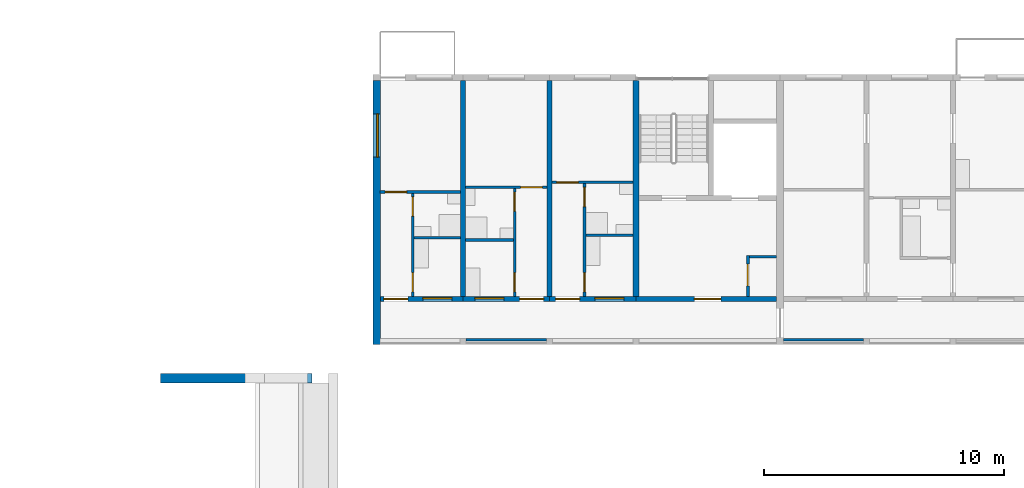
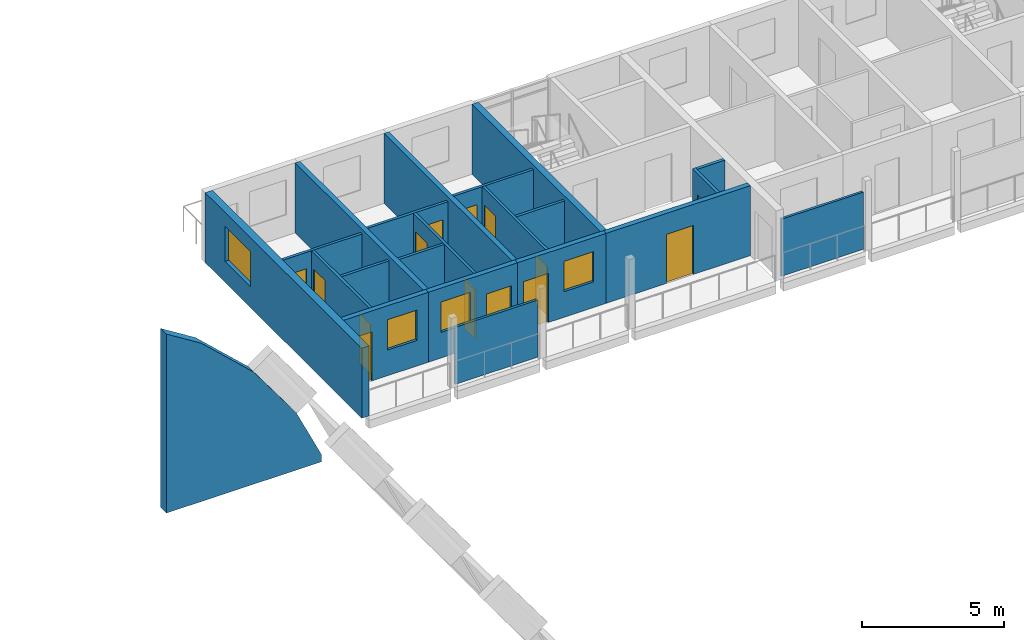
# One storey, part 51 of 100: 22 walls, 14 doors, 4 windows, 18 openings.
"""IFC4 building model written with IfcOpenShell, lengths in metres."""

from ifc_helpers import new_model, si_unit, direction, frame, frame_2d, origin, place, context, subcontext, project, spatial, polyline, rectangle, outline, extrude, material, layer, layer_set, type_object, element, fill, save


model = new_model("IFC4")

# Units and contexts
model_context = context("Model", 3, precision=1e-05, world=origin(), true_north=direction((0.0, 1.0)))
body_context = subcontext(model_context, "Body", "Model", "MODEL_VIEW")
ifc_project = project(units=[si_unit("LENGTHUNIT", "METRE"), si_unit("AREAUNIT", "SQUARE_METRE"), si_unit("VOLUMEUNIT", "CUBIC_METRE"), si_unit("PLANEANGLEUNIT", "RADIAN"), si_unit("MASSUNIT", "GRAM", prefix="KILO")], contexts=[model_context])

# Site, building, storey
site_placement = place(None, origin())
site = spatial("IfcSite", under=ifc_project, at=site_placement, CompositionType="ELEMENT")
building_placement = place(site_placement, origin())
building = spatial("IfcBuilding", under=site, at=building_placement, Name="Ridgestep Commons", CompositionType="ELEMENT")
storey_placement = place(building_placement, frame((0.0, 0.0, 9.0)))
storey = spatial("IfcBuildingStorey", under=building, at=storey_placement, Name="L03", CompositionType="ELEMENT", Elevation=9.0)

# Wall
ifc_material_1 = material(Name="Concrete C30/37", Category="concrete")
ifc_layer_1 = layer(ifc_material_1, 0.25)
ifc_layer_set_1 = layer_set([ifc_layer_1], Name="Core cross wall 250")
wall_type_1 = type_object("IfcWallType", Name="Core cross wall 250", PredefinedType="SHEAR", material=ifc_layer_set_1)
wall_1_placement = place(storey_placement, frame((157.60009765625, 68.0, 0.0), z_axis=(0.0, 0.0, 1.0), x_axis=(0.0, 1.0, 0.0)))
element("IfcWall", 1, at=wall_1_placement, inside=storey, type_object=wall_type_1, Name="Cross wall C-03-1576", PredefinedType="SHEAR", context=body_context, shape_type="SweptSolid", body=[
    extrude(rectangle(XDim=9.0, YDim=0.25, at=frame_2d((4.5, 0.0))), origin(), (0.0, 0.0, 1.0), 3.0),
])

# Wall, opening, door
ifc_material_2 = material(Name="Concrete C30/37", Category="concrete")
ifc_layer_2 = layer(ifc_material_2, 0.199951171875)
ifc_layer_set_2 = layer_set([ifc_layer_2], Name="Core south wall 200")
wall_type_2 = type_object("IfcWallType", Name="Core south wall 200", PredefinedType="SHEAR", material=ifc_layer_set_2)
wall_2_placement = place(storey_placement, frame((157.60009765625, 67.89990234375, 0.0), z_axis=(0.0, 0.0, 1.0), x_axis=(1.0, 0.0, 0.0)))
wall_2 = element("IfcWall", 2, at=wall_2_placement, inside=storey, type_object=wall_type_2, Name="Core south wall C1C L03", PredefinedType="SHEAR", context=body_context, shape_type="SweptSolid", body=[
    extrude(rectangle(XDim=5.849853515625, YDim=0.199951171875, at=frame_2d((2.9248046875, 0.0))), origin(), (0.0, 0.0, 1.0), 3.0),
])
opening_1_placement = place(wall_2_placement, frame((2.4375, 0.0, 0.0)))
opening_1 = element("IfcOpeningElement", 3, at=opening_1_placement, cuts=wall_2, Name="Opening C1C/03/1", PredefinedType="OPENING", context=body_context, shape_type="SweptSolid", body=[
    extrude(rectangle(XDim=1.10009765625, YDim=2.10009765625, at=frame_2d((0.550048828125, 1.050048828125))), frame((0.0, 0.10986328125, 0.0), z_axis=(0.0, -1.0, 0.0), x_axis=(1.0, 0.0, 0.0)), (0.0, 0.0, 1.0), 0.219970703125),
])
ifc_material_3 = material(Name="Steel fire door", Category="steel")
door_type_1 = type_object("IfcDoorType", Name="Lobby door 1100 x 2100 FD60", OperationType="NOTDEFINED", PredefinedType="DOOR", material=ifc_material_3)
door_1_placement = place(opening_1_placement, origin())
door_1 = element("IfcDoor", 4, at=door_1_placement, inside=storey, type_object=door_type_1, Name="Lobby door C1C/03/1", OperationType="SINGLE_SWING_LEFT", OverallHeight=2.10009765625, OverallWidth=1.10009765625, PredefinedType="DOOR", context=body_context, shape_type="SweptSolid", body=[
    extrude(rectangle(XDim=1.10009765625, YDim=2.10009765625, at=frame_2d((0.550048828125, 1.050048828125))), frame((0.0, 0.02490234375, 0.0), z_axis=(0.0, -1.0, 0.0), x_axis=(1.0, 0.0, 0.0)), (0.0, 0.0, 1.0), 0.050048828125),
])
fill(opening_1, door_1)

ifc_material_4 = material(Name="Concrete C30/37", Category="concrete")
ifc_layer_3 = layer(ifc_material_4, 0.1201171875)
ifc_layer_set_3 = layer_set([ifc_layer_3], Name="Core wall 120")
wall_type_3 = type_object("IfcWallType", Name="Core wall 120", PredefinedType="SHEAR", material=ifc_layer_set_3)
wall_3_placement = place(storey_placement, frame((162.260009765625, 68.0, 0.0), z_axis=(0.0, 0.0, 1.0), x_axis=(0.0, 1.0, 0.0)))
wall_3 = element("IfcWall", 5, at=wall_3_placement, inside=storey, type_object=wall_type_3, Name="Core riser w wall C1C L03", PredefinedType="SHEAR", context=body_context, shape_type="SweptSolid", body=[
    extrude(rectangle(XDim=1.719970703125, YDim=0.1201171875, at=frame_2d((0.85986328125, 0.0))), origin(), (0.0, 0.0, 1.0), 3.0),
])
opening_2_placement = place(wall_3_placement, frame((0.449951171875, 0.0, 0.0)))
opening_2 = element("IfcOpeningElement", 6, at=opening_2_placement, cuts=wall_3, Name="Opening C1C/03/4", PredefinedType="OPENING", context=body_context, shape_type="SweptSolid", body=[
    extrude(rectangle(XDim=0.89990234375, YDim=2.10009765625, at=frame_2d((0.449951171875, 1.050048828125))), frame((0.0, 0.070068359375, 0.0), z_axis=(0.0, -1.0, 0.0), x_axis=(1.0, 0.0, 0.0)), (0.0, 0.0, 1.0), 0.14013671875),
])
ifc_material_5 = material(Name="Steel fire door", Category="steel")
door_type_2 = type_object("IfcDoorType", Name="Riser door 900 x 2100 FD60", OperationType="NOTDEFINED", PredefinedType="DOOR", material=ifc_material_5)
door_2_placement = place(opening_2_placement, origin())
door_2 = element("IfcDoor", 7, at=door_2_placement, inside=storey, type_object=door_type_2, Name="Riser door C1C/03/4", OperationType="SINGLE_SWING_LEFT", OverallHeight=2.10009765625, OverallWidth=0.89990234375, PredefinedType="DOOR", context=body_context, shape_type="SweptSolid", body=[
    extrude(rectangle(XDim=0.89990234375, YDim=2.10009765625, at=frame_2d((0.449951171875, 1.050048828125))), frame((0.0, 0.02490234375, 0.0), z_axis=(0.0, -1.0, 0.0), x_axis=(1.0, 0.0, 0.0)), (0.0, 0.0, 1.0), 0.050048828125),
])
fill(opening_2, door_2)

# Walls
wall_4_placement = place(storey_placement, frame((162.320068359375, 69.659912109375, 0.0), z_axis=(0.0, 0.0, 1.0), x_axis=(1.0, 0.0, 0.0)))
element("IfcWall", 8, at=wall_4_placement, inside=storey, type_object=wall_type_3, Name="Core riser n wall C1C L03", PredefinedType="SHEAR", context=body_context, shape_type="SweptSolid", body=[
    extrude(rectangle(XDim=1.1298828125, YDim=0.1201171875, at=frame_2d((0.56494140625, 0.0))), origin(), (0.0, 0.0, 1.0), 3.0),
])
ifc_material_6 = material(Name="Precast concrete C40/50", Category="concrete")
ifc_layer_4 = layer(ifc_material_6, 0.199951171875)
ifc_layer_set_4 = layer_set([ifc_layer_4], Name="Cross wall 200")
wall_type_4 = type_object("IfcWallType", Name="Cross wall 200", PredefinedType="SHEAR", material=ifc_layer_set_4)
for number, where, z_axis, x_axis, name in (
    (9, (150.39990234375, 68.0, 0.0), (0.0, 0.0, 1.0), (0.0, 1.0, 0.0), "Cross wall C-03-1504"),
    (10, (154.0, 68.0, 0.0), (0.0, 0.0, 1.0), (0.0, 1.0, 0.0), "Cross wall C-03-1540"),
):
    element("IfcWall", number, at=place(storey_placement, frame(where, z_axis=z_axis, x_axis=x_axis)), inside=storey, type_object=wall_type_4, Name=name, PredefinedType="SHEAR", context=body_context, shape_type="SweptSolid", body=[
        extrude(rectangle(XDim=9.0, YDim=0.199951171875, at=frame_2d((4.5, 0.0))), origin(), (0.0, 0.0, 1.0), 3.0),
    ])

# Wall, opening, window
ifc_material_7 = material(Name="Precast concrete C40/50", Category="concrete")
ifc_layer_5 = layer(ifc_material_7, 0.300048828125)
ifc_layer_set_5 = layer_set([ifc_layer_5], Name="Exposed division wall 300")
wall_type_5 = type_object("IfcWallType", Name="Exposed division wall 300", PredefinedType="SHEAR", material=ifc_layer_set_5)
wall_5_placement = place(storey_placement, frame((146.800048828125, 66.0, 0.0), z_axis=(0.0, 0.0, 1.0), x_axis=(0.0, 1.0, 0.0)))
wall_5 = element("IfcWall", 11, at=wall_5_placement, inside=storey, type_object=wall_type_5, Name="Cross wall C-03-1468", PredefinedType="SHEAR", context=body_context, shape_type="SweptSolid", body=[
    extrude(rectangle(XDim=11.0, YDim=0.300048828125, at=frame_2d((5.5, 0.0))), origin(), (0.0, 0.0, 1.0), 3.0),
])
opening_3_placement = place(wall_5_placement, frame((7.804931640625, 0.0, 0.89990234375)))
opening_3 = element("IfcOpeningElement", 12, at=opening_3_placement, cuts=wall_5, Name="Opening W20", PredefinedType="OPENING", context=body_context, shape_type="SweptSolid", body=[
    extrude(rectangle(XDim=1.800048828125, YDim=1.5, at=frame_2d((0.89990234375, 0.75))), frame((0.0, 0.159912109375, 0.0), z_axis=(0.0, -1.0, 0.0), x_axis=(1.0, 0.0, 0.0)), (0.0, 0.0, 1.0), 0.320068359375),
])
ifc_material_8 = material(Name="Aluminium 6063-T6 and glass", Category="aluminium")
window_type_1 = type_object("IfcWindowType", Name="Flat window 1800 x 1500", PartitioningType="DOUBLE_PANEL_VERTICAL", PredefinedType="WINDOW", material=ifc_material_8)
window_1_placement = place(opening_3_placement, origin())
window_1 = element("IfcWindow", 13, at=window_1_placement, inside=storey, type_object=window_type_1, Name="Window C1-03a 3", OverallHeight=1.5, OverallWidth=1.800048828125, PartitioningType="SINGLE_PANEL", PredefinedType="WINDOW", context=body_context, shape_type="SweptSolid", body=[
    extrude(rectangle(XDim=1.800048828125, YDim=1.5, at=frame_2d((0.89990234375, 0.75))), frame((0.0, 0.0, 0.0), z_axis=(0.0, -1.0, 0.0), x_axis=(1.0, 0.0, 0.0)), (0.0, 0.0, 1.0), 0.06005859375),
])
fill(opening_3, window_1)

# Wall
ifc_material_9 = material(Name="Precast concrete C40/50", Category="concrete")
ifc_layer_6 = layer(ifc_material_9, 0.39990234375)
ifc_layer_set_6 = layer_set([ifc_layer_6], Name="Hall gable infill 400")
wall_type_6 = type_object("IfcWallType", Name="Hall gable infill 400", PredefinedType="SOLIDWALL", material=ifc_layer_set_6)
wall_6_placement = place(storey_placement, frame((137.800048828125, 64.60009765625, 0.0), z_axis=(0.0, 0.0, 1.0), x_axis=(1.0, 0.0, 0.0)))
element("IfcWall", 14, at=wall_6_placement, inside=storey, type_object=wall_type_6, Name="Hall gable infill 400", PredefinedType="SOLIDWALL", context=body_context, shape_type="SweptSolid", body=[
    extrude(outline(polyline([(0.0, 0.0), (6.300048828125, 0.0), (6.300048828125, 0.2978515625), (5.275390625, 2.45263671875), (3.550537109375, 4.804931640625), (1.414306640625, 6.79150390625), (0.0, 7.678466796875), (0.0, 0.0)])), frame((0.0, 0.199951171875, 0.0), z_axis=(0.0, -1.0, 0.0), x_axis=(1.0, 0.0, 0.0)), (0.0, 0.0, 1.0), 0.39990234375),
])

# Wall, openings, doors
ifc_material_10 = material(Name="Common brick 110 mm", Category="masonry")
ifc_layer_7 = layer(ifc_material_10, 0.110107421875)
ifc_layer_set_7 = layer_set([ifc_layer_7], Name="Partition 110")
wall_type_7 = type_object("IfcWallType", Name="Partition 110", PredefinedType="PARTITIONING", material=ifc_layer_set_7)
wall_7_placement = place(storey_placement, frame((148.304931640625, 68.0, 0.0), z_axis=(0.0, 0.0, 1.0), x_axis=(0.0, 1.0, 0.0)))
wall_7 = element("IfcWall", 15, at=wall_7_placement, inside=storey, type_object=wall_type_7, Name="Partition C1-03a", PredefinedType="PARTITIONING", context=body_context, shape_type="SweptSolid", body=[
    extrude(rectangle(XDim=4.300048828125, YDim=0.110107421875, at=frame_2d((2.14990234375, 0.0))), origin(), (0.0, 0.0, 1.0), 2.800048828125),
])
opening_4_placement = place(wall_7_placement, frame((0.199951171875, 0.0, 0.0)))
opening_4 = element("IfcOpeningElement", 16, at=opening_4_placement, cuts=wall_7, Name="Opening C1-03a/2", PredefinedType="OPENING", context=body_context, shape_type="SweptSolid", body=[
    extrude(rectangle(XDim=0.800048828125, YDim=2.10009765625, at=frame_2d((0.39990234375, 1.050048828125))), frame((0.0, 0.06494140625, 0.0), z_axis=(0.0, -1.0, 0.0), x_axis=(1.0, 0.0, 0.0)), (0.0, 0.0, 1.0), 0.130126953125),
])
opening_5_placement = place(wall_7_placement, frame((3.35009765625, 0.0, 0.0)))
opening_5 = element("IfcOpeningElement", 17, at=opening_5_placement, cuts=wall_7, Name="Opening C1-03a/3", PredefinedType="OPENING", context=body_context, shape_type="SweptSolid", body=[
    extrude(rectangle(XDim=0.800048828125, YDim=2.10009765625, at=frame_2d((0.39990234375, 1.050048828125))), frame((0.0, 0.06494140625, 0.0), z_axis=(0.0, -1.0, 0.0), x_axis=(1.0, 0.0, 0.0)), (0.0, 0.0, 1.0), 0.130126953125),
])
ifc_material_11 = material(Name="Timber door leaf", Category="wood")
door_type_3 = type_object("IfcDoorType", Name="Internal door 800 x 2100", OperationType="NOTDEFINED", PredefinedType="DOOR", material=ifc_material_11)
door_3_placement = place(opening_4_placement, origin())
door_3 = element("IfcDoor", 18, at=door_3_placement, inside=storey, type_object=door_type_3, Name="Internal door C1-03a/2", OperationType="SINGLE_SWING_RIGHT", OverallHeight=2.10009765625, OverallWidth=0.800048828125, PredefinedType="DOOR", context=body_context, shape_type="SweptSolid", body=[
    extrude(rectangle(XDim=0.800048828125, YDim=2.10009765625, at=frame_2d((0.39990234375, 1.050048828125))), frame((0.0, 0.02490234375, 0.0), z_axis=(0.0, -1.0, 0.0), x_axis=(1.0, 0.0, 0.0)), (0.0, 0.0, 1.0), 0.050048828125),
])
fill(opening_4, door_3)
door_4_placement = place(opening_5_placement, origin())
door_4 = element("IfcDoor", 19, at=door_4_placement, inside=storey, type_object=door_type_3, Name="Internal door C1-03a/3", OperationType="SINGLE_SWING_LEFT", OverallHeight=2.10009765625, OverallWidth=0.800048828125, PredefinedType="DOOR", context=body_context, shape_type="SweptSolid", body=[
    extrude(rectangle(XDim=0.800048828125, YDim=2.10009765625, at=frame_2d((0.39990234375, 1.050048828125))), frame((0.0, 0.02490234375, 0.0), z_axis=(0.0, -1.0, 0.0), x_axis=(1.0, 0.0, 0.0)), (0.0, 0.0, 1.0), 0.050048828125),
])
fill(opening_5, door_4)

# Wall
wall_8_placement = place(storey_placement, frame((148.360107421875, 70.455078125, 0.0), z_axis=(0.0, 0.0, 1.0), x_axis=(1.0, 0.0, 0.0)))
element("IfcWall", 20, at=wall_8_placement, inside=storey, type_object=wall_type_7, Name="Partition C1-03a", PredefinedType="PARTITIONING", context=body_context, shape_type="SweptSolid", body=[
    extrude(rectangle(XDim=1.93994140625, YDim=0.110107421875, at=frame_2d((0.969970703125, 0.0))), origin(), (0.0, 0.0, 1.0), 2.800048828125),
])

# Wall, opening, door
wall_9_placement = place(storey_placement, frame((146.949951171875, 72.35498046875, 0.0), z_axis=(0.0, 0.0, 1.0), x_axis=(1.0, 0.0, 0.0)))
wall_9 = element("IfcWall", 21, at=wall_9_placement, inside=storey, type_object=wall_type_7, Name="Partition C1-03a", PredefinedType="PARTITIONING", context=body_context, shape_type="SweptSolid", body=[
    extrude(rectangle(XDim=3.35009765625, YDim=0.110107421875, at=frame_2d((1.675048828125, 0.0))), origin(), (0.0, 0.0, 1.0), 2.800048828125),
])
opening_6_placement = place(wall_9_placement, frame((0.199951171875, 0.0, 0.0)))
opening_6 = element("IfcOpeningElement", 22, at=opening_6_placement, cuts=wall_9, Name="Opening C1-03a/4", PredefinedType="OPENING", context=body_context, shape_type="SweptSolid", body=[
    extrude(rectangle(XDim=0.89990234375, YDim=2.10009765625, at=frame_2d((0.449951171875, 1.050048828125))), frame((0.0, 0.06494140625, 0.0), z_axis=(0.0, -1.0, 0.0), x_axis=(1.0, 0.0, 0.0)), (0.0, 0.0, 1.0), 0.130126953125),
])
ifc_material_12 = material(Name="Timber door leaf", Category="wood")
door_type_4 = type_object("IfcDoorType", Name="Internal door 900 x 2100", OperationType="NOTDEFINED", PredefinedType="DOOR", material=ifc_material_12)
door_5_placement = place(opening_6_placement, origin())
door_5 = element("IfcDoor", 23, at=door_5_placement, inside=storey, type_object=door_type_4, Name="Internal door C1-03a/4", OperationType="SINGLE_SWING_LEFT", OverallHeight=2.10009765625, OverallWidth=0.89990234375, PredefinedType="DOOR", context=body_context, shape_type="SweptSolid", body=[
    extrude(rectangle(XDim=0.89990234375, YDim=2.10009765625, at=frame_2d((0.449951171875, 1.050048828125))), frame((0.0, 0.02490234375, 0.0), z_axis=(0.0, -1.0, 0.0), x_axis=(1.0, 0.0, 0.0)), (0.0, 0.0, 1.0), 0.050048828125),
])
fill(opening_6, door_5)

# Wall
wall_10_placement = place(storey_placement, frame((150.5, 70.35498046875, 0.0), z_axis=(0.0, 0.0, 1.0), x_axis=(1.0, 0.0, 0.0)))
element("IfcWall", 24, at=wall_10_placement, inside=storey, type_object=wall_type_7, Name="Partition C1-03b", PredefinedType="PARTITIONING", context=body_context, shape_type="SweptSolid", body=[
    extrude(rectangle(XDim=1.989990234375, YDim=0.110107421875, at=frame_2d((0.9951171875, 0.0))), origin(), (0.0, 0.0, 1.0), 2.800048828125),
])

# Wall, openings, doors
wall_11_placement = place(storey_placement, frame((152.544921875, 68.0, 0.0), z_axis=(0.0, 0.0, 1.0), x_axis=(0.0, 1.0, 0.0)))
wall_11 = element("IfcWall", 25, at=wall_11_placement, inside=storey, type_object=wall_type_7, Name="Partition C1-03b", PredefinedType="PARTITIONING", context=body_context, shape_type="SweptSolid", body=[
    extrude(rectangle(XDim=4.5, YDim=0.110107421875, at=frame_2d((2.25, 0.0))), origin(), (0.0, 0.0, 1.0), 2.800048828125),
])
opening_7_placement = place(wall_11_placement, frame((0.199951171875, 0.0, 0.0)))
opening_7 = element("IfcOpeningElement", 26, at=opening_7_placement, cuts=wall_11, Name="Opening C1-03b/2", PredefinedType="OPENING", context=body_context, shape_type="SweptSolid", body=[
    extrude(rectangle(XDim=0.800048828125, YDim=2.10009765625, at=frame_2d((0.39990234375, 1.050048828125))), frame((0.0, 0.06494140625, 0.0), z_axis=(0.0, -1.0, 0.0), x_axis=(1.0, 0.0, 0.0)), (0.0, 0.0, 1.0), 0.130126953125),
])
opening_8_placement = place(wall_11_placement, frame((3.550048828125, 0.0, 0.0)))
opening_8 = element("IfcOpeningElement", 27, at=opening_8_placement, cuts=wall_11, Name="Opening C1-03b/3", PredefinedType="OPENING", context=body_context, shape_type="SweptSolid", body=[
    extrude(rectangle(XDim=0.800048828125, YDim=2.10009765625, at=frame_2d((0.39990234375, 1.050048828125))), frame((0.0, 0.06494140625, 0.0), z_axis=(0.0, -1.0, 0.0), x_axis=(1.0, 0.0, 0.0)), (0.0, 0.0, 1.0), 0.130126953125),
])
door_6_placement = place(opening_7_placement, origin())
door_6 = element("IfcDoor", 28, at=door_6_placement, inside=storey, type_object=door_type_3, Name="Internal door C1-03b/2", OperationType="SINGLE_SWING_LEFT", OverallHeight=2.10009765625, OverallWidth=0.800048828125, PredefinedType="DOOR", context=body_context, shape_type="SweptSolid", body=[
    extrude(rectangle(XDim=0.800048828125, YDim=2.10009765625, at=frame_2d((0.39990234375, 1.050048828125))), frame((0.0, 0.02490234375, 0.0), z_axis=(0.0, -1.0, 0.0), x_axis=(1.0, 0.0, 0.0)), (0.0, 0.0, 1.0), 0.050048828125),
])
fill(opening_7, door_6)
door_7_placement = place(opening_8_placement, origin())
door_7 = element("IfcDoor", 29, at=door_7_placement, inside=storey, type_object=door_type_3, Name="Internal door C1-03b/3", OperationType="SINGLE_SWING_RIGHT", OverallHeight=2.10009765625, OverallWidth=0.800048828125, PredefinedType="DOOR", context=body_context, shape_type="SweptSolid", body=[
    extrude(rectangle(XDim=0.800048828125, YDim=2.10009765625, at=frame_2d((0.39990234375, 1.050048828125))), frame((0.0, 0.02490234375, 0.0), z_axis=(0.0, -1.0, 0.0), x_axis=(1.0, 0.0, 0.0)), (0.0, 0.0, 1.0), 0.050048828125),
])
fill(opening_8, door_7)

# Wall, opening, door
wall_12_placement = place(storey_placement, frame((150.5, 72.554931640625, 0.0), z_axis=(0.0, 0.0, 1.0), x_axis=(1.0, 0.0, 0.0)))
wall_12 = element("IfcWall", 30, at=wall_12_placement, inside=storey, type_object=wall_type_7, Name="Partition C1-03b", PredefinedType="PARTITIONING", context=body_context, shape_type="SweptSolid", body=[
    extrude(rectangle(XDim=3.39990234375, YDim=0.110107421875, at=frame_2d((1.699951171875, 0.0))), origin(), (0.0, 0.0, 1.0), 2.800048828125),
])
opening_9_placement = place(wall_12_placement, frame((2.300048828125, 0.0, 0.0)))
opening_9 = element("IfcOpeningElement", 31, at=opening_9_placement, cuts=wall_12, Name="Opening C1-03b/4", PredefinedType="OPENING", context=body_context, shape_type="SweptSolid", body=[
    extrude(rectangle(XDim=0.89990234375, YDim=2.10009765625, at=frame_2d((0.449951171875, 1.050048828125))), frame((0.0, 0.06494140625, 0.0), z_axis=(0.0, -1.0, 0.0), x_axis=(1.0, 0.0, 0.0)), (0.0, 0.0, 1.0), 0.130126953125),
])
door_8_placement = place(opening_9_placement, origin())
door_8 = element("IfcDoor", 32, at=door_8_placement, inside=storey, type_object=door_type_4, Name="Internal door C1-03b/4", OperationType="SINGLE_SWING_LEFT", OverallHeight=2.10009765625, OverallWidth=0.89990234375, PredefinedType="DOOR", context=body_context, shape_type="SweptSolid", body=[
    extrude(rectangle(XDim=0.89990234375, YDim=2.10009765625, at=frame_2d((0.449951171875, 1.050048828125))), frame((0.0, 0.02490234375, 0.0), z_axis=(0.0, -1.0, 0.0), x_axis=(1.0, 0.0, 0.0)), (0.0, 0.0, 1.0), 0.050048828125),
])
fill(opening_9, door_8)

# Wall, openings, doors
wall_13_placement = place(storey_placement, frame((155.455078125, 68.0, 0.0), z_axis=(0.0, 0.0, 1.0), x_axis=(0.0, 1.0, 0.0)))
wall_13 = element("IfcWall", 33, at=wall_13_placement, inside=storey, type_object=wall_type_7, Name="Partition C1-03c", PredefinedType="PARTITIONING", context=body_context, shape_type="SweptSolid", body=[
    extrude(rectangle(XDim=4.699951171875, YDim=0.110107421875, at=frame_2d((2.35009765625, 0.0))), origin(), (0.0, 0.0, 1.0), 2.800048828125),
])
opening_10_placement = place(wall_13_placement, frame((0.199951171875, 0.0, 0.0)))
opening_10 = element("IfcOpeningElement", 34, at=opening_10_placement, cuts=wall_13, Name="Opening C1-03c/2", PredefinedType="OPENING", context=body_context, shape_type="SweptSolid", body=[
    extrude(rectangle(XDim=0.800048828125, YDim=2.10009765625, at=frame_2d((0.39990234375, 1.050048828125))), frame((0.0, 0.06494140625, 0.0), z_axis=(0.0, -1.0, 0.0), x_axis=(1.0, 0.0, 0.0)), (0.0, 0.0, 1.0), 0.130126953125),
])
opening_11_placement = place(wall_13_placement, frame((3.75, 0.0, 0.0)))
opening_11 = element("IfcOpeningElement", 35, at=opening_11_placement, cuts=wall_13, Name="Opening C1-03c/3", PredefinedType="OPENING", context=body_context, shape_type="SweptSolid", body=[
    extrude(rectangle(XDim=0.800048828125, YDim=2.10009765625, at=frame_2d((0.39990234375, 1.050048828125))), frame((0.0, 0.06494140625, 0.0), z_axis=(0.0, -1.0, 0.0), x_axis=(1.0, 0.0, 0.0)), (0.0, 0.0, 1.0), 0.130126953125),
])
door_9_placement = place(opening_10_placement, origin())
door_9 = element("IfcDoor", 36, at=door_9_placement, inside=storey, type_object=door_type_3, Name="Internal door C1-03c/2", OperationType="SINGLE_SWING_RIGHT", OverallHeight=2.10009765625, OverallWidth=0.800048828125, PredefinedType="DOOR", context=body_context, shape_type="SweptSolid", body=[
    extrude(rectangle(XDim=0.800048828125, YDim=2.10009765625, at=frame_2d((0.39990234375, 1.050048828125))), frame((0.0, 0.02490234375, 0.0), z_axis=(0.0, -1.0, 0.0), x_axis=(1.0, 0.0, 0.0)), (0.0, 0.0, 1.0), 0.050048828125),
])
fill(opening_10, door_9)
door_10_placement = place(opening_11_placement, origin())
door_10 = element("IfcDoor", 37, at=door_10_placement, inside=storey, type_object=door_type_3, Name="Internal door C1-03c/3", OperationType="SINGLE_SWING_LEFT", OverallHeight=2.10009765625, OverallWidth=0.800048828125, PredefinedType="DOOR", context=body_context, shape_type="SweptSolid", body=[
    extrude(rectangle(XDim=0.800048828125, YDim=2.10009765625, at=frame_2d((0.39990234375, 1.050048828125))), frame((0.0, 0.02490234375, 0.0), z_axis=(0.0, -1.0, 0.0), x_axis=(1.0, 0.0, 0.0)), (0.0, 0.0, 1.0), 0.050048828125),
])
fill(opening_11, door_10)

# Wall
wall_14_placement = place(storey_placement, frame((155.510009765625, 70.554931640625, 0.0), z_axis=(0.0, 0.0, 1.0), x_axis=(1.0, 0.0, 0.0)))
element("IfcWall", 38, at=wall_14_placement, inside=storey, type_object=wall_type_7, Name="Partition C1-03c", PredefinedType="PARTITIONING", context=body_context, shape_type="SweptSolid", body=[
    extrude(rectangle(XDim=1.965087890625, YDim=0.110107421875, at=frame_2d((0.982421875, 0.0))), origin(), (0.0, 0.0, 1.0), 2.800048828125),
])

# Wall, opening, door
wall_15_placement = place(storey_placement, frame((154.10009765625, 72.7548828125, 0.0), z_axis=(0.0, 0.0, 1.0), x_axis=(1.0, 0.0, 0.0)))
wall_15 = element("IfcWall", 39, at=wall_15_placement, inside=storey, type_object=wall_type_7, Name="Partition C1-03c", PredefinedType="PARTITIONING", context=body_context, shape_type="SweptSolid", body=[
    extrude(rectangle(XDim=3.375, YDim=0.110107421875, at=frame_2d((1.6875, 0.0))), origin(), (0.0, 0.0, 1.0), 2.800048828125),
])
opening_12_placement = place(wall_15_placement, frame((0.199951171875, 0.0, 0.0)))
opening_12 = element("IfcOpeningElement", 40, at=opening_12_placement, cuts=wall_15, Name="Opening C1-03c/4", PredefinedType="OPENING", context=body_context, shape_type="SweptSolid", body=[
    extrude(rectangle(XDim=0.89990234375, YDim=2.10009765625, at=frame_2d((0.449951171875, 1.050048828125))), frame((0.0, 0.06494140625, 0.0), z_axis=(0.0, -1.0, 0.0), x_axis=(1.0, 0.0, 0.0)), (0.0, 0.0, 1.0), 0.130126953125),
])
door_11_placement = place(opening_12_placement, origin())
door_11 = element("IfcDoor", 41, at=door_11_placement, inside=storey, type_object=door_type_4, Name="Internal door C1-03c/4", OperationType="SINGLE_SWING_LEFT", OverallHeight=2.10009765625, OverallWidth=0.89990234375, PredefinedType="DOOR", context=body_context, shape_type="SweptSolid", body=[
    extrude(rectangle(XDim=0.89990234375, YDim=2.10009765625, at=frame_2d((0.449951171875, 1.050048828125))), frame((0.0, 0.02490234375, 0.0), z_axis=(0.0, -1.0, 0.0), x_axis=(1.0, 0.0, 0.0)), (0.0, 0.0, 1.0), 0.050048828125),
])
fill(opening_12, door_11)

# Walls
ifc_material_13 = material(Name="Precast concrete C30/37", Category="concrete")
ifc_layer_8 = layer(ifc_material_13, 0.10009765625)
ifc_layer_set_8 = layer_set([ifc_layer_8], Name="Perforated gallery screen 3325 x 2450 x 100")
wall_type_8 = type_object("IfcWallType", Name="Perforated gallery screen 3325 x 2450 x 100", PredefinedType="SOLIDWALL", material=ifc_layer_set_8)
wall_16_placement = place(storey_placement, frame((163.75, 66.199951171875, 0.0), z_axis=(0.0, 0.0, 1.0), x_axis=(1.0, 0.0, 0.0)))
element("IfcWall", 42, at=wall_16_placement, inside=storey, type_object=wall_type_8, Name="Gallery screen C2T1 03", PredefinedType="SOLIDWALL", context=body_context, shape_type="SweptSolid", body=[
    extrude(rectangle(XDim=3.324951171875, YDim=0.10009765625, at=frame_2d((1.66259765625, 0.0))), origin(), (0.0, 0.0, 1.0), 2.449951171875),
])
ifc_material_14 = material(Name="Precast concrete C30/37", Category="concrete")
ifc_layer_9 = layer(ifc_material_14, 0.10009765625)
ifc_layer_set_9 = layer_set([ifc_layer_9], Name="Perforated gallery screen 3350 x 2450 x 100")
wall_type_9 = type_object("IfcWallType", Name="Perforated gallery screen 3350 x 2450 x 100", PredefinedType="SOLIDWALL", material=ifc_layer_set_9)
wall_17_placement = place(storey_placement, frame((150.52490234375, 66.199951171875, 0.0), z_axis=(0.0, 0.0, 1.0), x_axis=(1.0, 0.0, 0.0)))
element("IfcWall", 43, at=wall_17_placement, inside=storey, type_object=wall_type_9, Name="Gallery screen C1T2 03", PredefinedType="SOLIDWALL", context=body_context, shape_type="SweptSolid", body=[
    extrude(rectangle(XDim=3.35009765625, YDim=0.10009765625, at=frame_2d((1.675048828125, 0.0))), origin(), (0.0, 0.0, 1.0), 2.449951171875),
])

# Wall, openings, door, window
ifc_material_15 = material(Name="Precast concrete C40/50", Category="concrete")
ifc_layer_10 = layer(ifc_material_15, 0.199951171875)
ifc_layer_set_10 = layer_set([ifc_layer_10], Name="South facade panel 200")
wall_type_10 = type_object("IfcWallType", Name="South facade panel 200", PredefinedType="SOLIDWALL", material=ifc_layer_set_10)
wall_18_placement = place(storey_placement, frame((146.949951171875, 67.89990234375, 0.0), z_axis=(0.0, 0.0, 1.0), x_axis=(1.0, 0.0, 0.0)))
wall_18 = element("IfcWall", 44, at=wall_18_placement, inside=storey, type_object=wall_type_10, Name="South panel C1T1 L03", PredefinedType="SOLIDWALL", context=body_context, shape_type="SweptSolid", body=[
    extrude(rectangle(XDim=3.449951171875, YDim=0.199951171875, at=frame_2d((1.72509765625, 0.0))), origin(), (0.0, 0.0, 1.0), 3.0),
])
opening_13_placement = place(wall_18_placement, frame((1.780029296875, 0.0, 1.10009765625)))
opening_13 = element("IfcOpeningElement", 45, at=opening_13_placement, cuts=wall_18, Name="Opening W08", PredefinedType="OPENING", context=body_context, shape_type="SweptSolid", body=[
    extrude(rectangle(XDim=1.199951171875, YDim=1.300048828125, at=frame_2d((0.60009765625, 0.64990234375))), frame((0.0, 0.10986328125, 0.0), z_axis=(0.0, -1.0, 0.0), x_axis=(1.0, 0.0, 0.0)), (0.0, 0.0, 1.0), 0.219970703125),
])
opening_14_placement = place(wall_18_placement, frame((0.14990234375, 0.0, 0.0)))
opening_14 = element("IfcOpeningElement", 46, at=opening_14_placement, cuts=wall_18, Name="Opening C1-03a/1", PredefinedType="OPENING", context=body_context, shape_type="SweptSolid", body=[
    extrude(rectangle(XDim=1.0, YDim=2.10009765625, at=frame_2d((0.5, 1.050048828125))), frame((0.0, 0.10986328125, 0.0), z_axis=(0.0, -1.0, 0.0), x_axis=(1.0, 0.0, 0.0)), (0.0, 0.0, 1.0), 0.219970703125),
])
ifc_material_16 = material(Name="Timber door leaf", Category="wood")
door_type_5 = type_object("IfcDoorType", Name="Flat entrance door 1000 x 2100 FD30S", OperationType="NOTDEFINED", PredefinedType="DOOR", material=ifc_material_16)
door_12_placement = place(opening_14_placement, origin())
door_12 = element("IfcDoor", 47, at=door_12_placement, inside=storey, type_object=door_type_5, Name="Flat entrance door C1-03a/1", OperationType="SINGLE_SWING_LEFT", OverallHeight=2.10009765625, OverallWidth=1.0, PredefinedType="DOOR", context=body_context, shape_type="SweptSolid", body=[
    extrude(rectangle(XDim=1.0, YDim=2.10009765625, at=frame_2d((0.5, 1.050048828125))), frame((0.0, 0.02490234375, 0.0), z_axis=(0.0, -1.0, 0.0), x_axis=(1.0, 0.0, 0.0)), (0.0, 0.0, 1.0), 0.050048828125),
])
fill(opening_14, door_12)
ifc_material_17 = material(Name="Aluminium 6063-T6 and glass", Category="aluminium")
window_type_2 = type_object("IfcWindowType", Name="Flat window 1200 x 1300", PartitioningType="SINGLE_PANEL", PredefinedType="WINDOW", material=ifc_material_17)
window_2_placement = place(opening_13_placement, origin())
window_2 = element("IfcWindow", 48, at=window_2_placement, inside=storey, type_object=window_type_2, Name="Window C1-03a 1", OverallHeight=1.300048828125, OverallWidth=1.199951171875, PartitioningType="SINGLE_PANEL", PredefinedType="WINDOW", context=body_context, shape_type="SweptSolid", body=[
    extrude(rectangle(XDim=1.199951171875, YDim=1.300048828125, at=frame_2d((0.60009765625, 0.64990234375))), frame((0.0, 0.06005859375, 0.0), z_axis=(0.0, -1.0, 0.0), x_axis=(1.0, 0.0, 0.0)), (0.0, 0.0, 1.0), 0.06005859375),
])
fill(opening_13, window_2)

wall_19_placement = place(storey_placement, frame((150.39990234375, 67.89990234375, 0.0), z_axis=(0.0, 0.0, 1.0), x_axis=(1.0, 0.0, 0.0)))
wall_19 = element("IfcWall", 49, at=wall_19_placement, inside=storey, type_object=wall_type_10, Name="South panel C1T2 L03", PredefinedType="SOLIDWALL", context=body_context, shape_type="SweptSolid", body=[
    extrude(rectangle(XDim=3.60009765625, YDim=0.199951171875, at=frame_2d((1.800048828125, 0.0))), origin(), (0.0, 0.0, 1.0), 3.0),
])
opening_15_placement = place(wall_19_placement, frame((0.4951171875, 0.0, 1.10009765625)))
opening_15 = element("IfcOpeningElement", 50, at=opening_15_placement, cuts=wall_19, Name="Opening W08", PredefinedType="OPENING", context=body_context, shape_type="SweptSolid", body=[
    extrude(rectangle(XDim=1.199951171875, YDim=1.300048828125, at=frame_2d((0.60009765625, 0.64990234375))), frame((0.0, 0.10986328125, 0.0), z_axis=(0.0, -1.0, 0.0), x_axis=(1.0, 0.0, 0.0)), (0.0, 0.0, 1.0), 0.219970703125),
])
opening_16_placement = place(wall_19_placement, frame((2.35009765625, 0.0, 0.0)))
opening_16 = element("IfcOpeningElement", 51, at=opening_16_placement, cuts=wall_19, Name="Opening C1-03b/1", PredefinedType="OPENING", context=body_context, shape_type="SweptSolid", body=[
    extrude(rectangle(XDim=1.0, YDim=2.10009765625, at=frame_2d((0.5, 1.050048828125))), frame((0.0, 0.10986328125, 0.0), z_axis=(0.0, -1.0, 0.0), x_axis=(1.0, 0.0, 0.0)), (0.0, 0.0, 1.0), 0.219970703125),
])
door_13_placement = place(opening_16_placement, origin())
door_13 = element("IfcDoor", 52, at=door_13_placement, inside=storey, type_object=door_type_5, Name="Flat entrance door C1-03b/1", OperationType="SINGLE_SWING_RIGHT", OverallHeight=2.10009765625, OverallWidth=1.0, PredefinedType="DOOR", context=body_context, shape_type="SweptSolid", body=[
    extrude(rectangle(XDim=1.0, YDim=2.10009765625, at=frame_2d((0.5, 1.050048828125))), frame((0.0, 0.02490234375, 0.0), z_axis=(0.0, -1.0, 0.0), x_axis=(1.0, 0.0, 0.0)), (0.0, 0.0, 1.0), 0.050048828125),
])
fill(opening_16, door_13)
window_3_placement = place(opening_15_placement, origin())
window_3 = element("IfcWindow", 53, at=window_3_placement, inside=storey, type_object=window_type_2, Name="Window C1-03b 1", OverallHeight=1.300048828125, OverallWidth=1.199951171875, PartitioningType="SINGLE_PANEL", PredefinedType="WINDOW", context=body_context, shape_type="SweptSolid", body=[
    extrude(rectangle(XDim=1.199951171875, YDim=1.300048828125, at=frame_2d((0.60009765625, 0.64990234375))), frame((0.0, 0.06005859375, 0.0), z_axis=(0.0, -1.0, 0.0), x_axis=(1.0, 0.0, 0.0)), (0.0, 0.0, 1.0), 0.06005859375),
])
fill(opening_15, window_3)

wall_20_placement = place(storey_placement, frame((154.0, 67.89990234375, 0.0), z_axis=(0.0, 0.0, 1.0), x_axis=(1.0, 0.0, 0.0)))
wall_20 = element("IfcWall", 54, at=wall_20_placement, inside=storey, type_object=wall_type_10, Name="South panel C1T3 L03", PredefinedType="SOLIDWALL", context=body_context, shape_type="SweptSolid", body=[
    extrude(rectangle(XDim=3.60009765625, YDim=0.199951171875, at=frame_2d((1.800048828125, 0.0))), origin(), (0.0, 0.0, 1.0), 3.0),
])
opening_17_placement = place(wall_20_placement, frame((1.892578125, 0.0, 1.10009765625)))
opening_17 = element("IfcOpeningElement", 55, at=opening_17_placement, cuts=wall_20, Name="Opening W08", PredefinedType="OPENING", context=body_context, shape_type="SweptSolid", body=[
    extrude(rectangle(XDim=1.199951171875, YDim=1.300048828125, at=frame_2d((0.60009765625, 0.64990234375))), frame((0.0, 0.10986328125, 0.0), z_axis=(0.0, -1.0, 0.0), x_axis=(1.0, 0.0, 0.0)), (0.0, 0.0, 1.0), 0.219970703125),
])
opening_18_placement = place(wall_20_placement, frame((0.25, 0.0, 0.0)))
opening_18 = element("IfcOpeningElement", 56, at=opening_18_placement, cuts=wall_20, Name="Opening C1-03c/1", PredefinedType="OPENING", context=body_context, shape_type="SweptSolid", body=[
    extrude(rectangle(XDim=1.0, YDim=2.10009765625, at=frame_2d((0.5, 1.050048828125))), frame((0.0, 0.10986328125, 0.0), z_axis=(0.0, -1.0, 0.0), x_axis=(1.0, 0.0, 0.0)), (0.0, 0.0, 1.0), 0.219970703125),
])
door_14_placement = place(opening_18_placement, origin())
door_14 = element("IfcDoor", 57, at=door_14_placement, inside=storey, type_object=door_type_5, Name="Flat entrance door C1-03c/1", OperationType="SINGLE_SWING_LEFT", OverallHeight=2.10009765625, OverallWidth=1.0, PredefinedType="DOOR", context=body_context, shape_type="SweptSolid", body=[
    extrude(rectangle(XDim=1.0, YDim=2.10009765625, at=frame_2d((0.5, 1.050048828125))), frame((0.0, 0.02490234375, 0.0), z_axis=(0.0, -1.0, 0.0), x_axis=(1.0, 0.0, 0.0)), (0.0, 0.0, 1.0), 0.050048828125),
])
fill(opening_18, door_14)
window_4_placement = place(opening_17_placement, origin())
window_4 = element("IfcWindow", 58, at=window_4_placement, inside=storey, type_object=window_type_2, Name="Window C1-03c 1", OverallHeight=1.300048828125, OverallWidth=1.199951171875, PartitioningType="SINGLE_PANEL", PredefinedType="WINDOW", context=body_context, shape_type="SweptSolid", body=[
    extrude(rectangle(XDim=1.199951171875, YDim=1.300048828125, at=frame_2d((0.60009765625, 0.64990234375))), frame((0.0, 0.06005859375, 0.0), z_axis=(0.0, -1.0, 0.0), x_axis=(1.0, 0.0, 0.0)), (0.0, 0.0, 1.0), 0.06005859375),
])
fill(opening_17, window_4)

save(model, "model.ifc")
